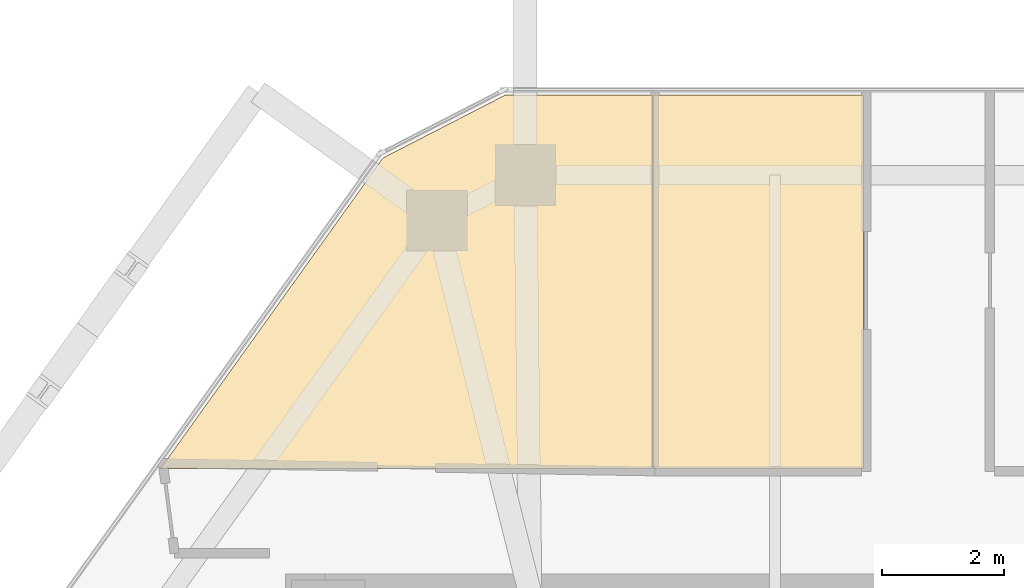
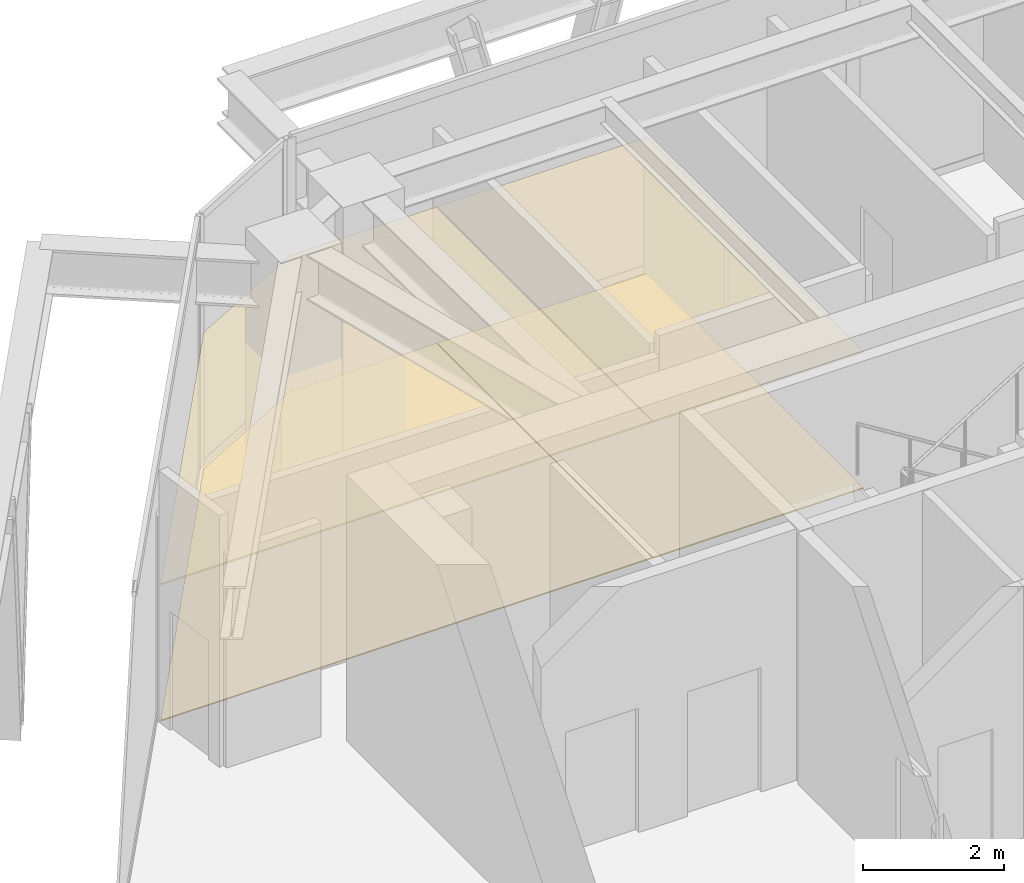
# One storey, part 12 of 12: 4 coverings.
"""IFC4 building model written with IfcOpenShell, lengths in metres."""

from ifc_helpers import new_model, si_unit, direction, frame, origin, place, context, subcontext, project, spatial, polyline, outline, extrude, material, layer, layer_set, type_object, element, save


model = new_model("IFC4")

# Units and contexts
model_context = context("Model", 3, precision=1e-05, world=origin(), true_north=direction((0.0, 1.0)))
body_context = subcontext(model_context, "Body", "Model", "MODEL_VIEW")
ifc_project = project(units=[si_unit("LENGTHUNIT", "METRE"), si_unit("AREAUNIT", "SQUARE_METRE"), si_unit("VOLUMEUNIT", "CUBIC_METRE"), si_unit("PLANEANGLEUNIT", "RADIAN"), si_unit("MASSUNIT", "GRAM", prefix="KILO")], contexts=[model_context])

# Site, building, storey
site_placement = place(None, origin())
site = spatial("IfcSite", under=ifc_project, at=site_placement, CompositionType="ELEMENT")
building_placement = place(site_placement, origin())
building = spatial("IfcBuilding", under=site, at=building_placement, Name="Durnholm Broadcast Tower", CompositionType="ELEMENT")
storey_placement = place(building_placement, frame((0.0, 0.0, 162.60009765625)))
storey = spatial("IfcBuildingStorey", under=building, at=storey_placement, Name="L44", CompositionType="ELEMENT", Elevation=162.60009765625)

# Coverings
ifc_material_1 = material(Name="Mineral Fiber Acoustic Ceiling Tile", Category="concrete")
ifc_layer_1 = layer(ifc_material_1, 0.02490234375)
ifc_layer_set_1 = layer_set([ifc_layer_1], Name="Mineral Fiber Acoustic Ceiling Tile")
covering_type_1 = type_object("IfcCoveringType", Name="COV-CEIL-AC", PredefinedType="CEILING", material=ifc_layer_set_1)
covering_1_placement = place(storey_placement, frame((0.0, 0.0, 2.349853515625)))
element("IfcCovering", 1, at=covering_1_placement, inside=storey, type_object=covering_type_1, Name="L44 Open Plan Broadcast Workspace 2 acoustic ceiling", PredefinedType="CEILING", context=body_context, shape_type="SweptSolid", body=[
    extrude(outline(polyline([(-4.5048828125, 10.22509765625), (-4.5048828125, 16.3330078125), (-6.896728515625, 16.3330078125), (-8.90576171875, 15.300537109375), (-12.539794921875, 10.22509765625), (-4.5048828125, 10.22509765625)])), origin(), (0.0, 0.0, 1.0), 0.025146484375),
])
covering_2_placement = place(storey_placement, frame((0.0, 0.0, 2.349853515625)))
element("IfcCovering", 2, at=covering_2_placement, inside=storey, type_object=covering_type_1, Name="L44 Fitness Wellness Hall acoustic ceiling", PredefinedType="CEILING", context=body_context, shape_type="SweptSolid", body=[
    extrude(outline(polyline([(-1.054931640625, 16.3330078125), (-4.4951171875, 16.3330078125), (-4.4951171875, 10.22509765625), (-1.054931640625, 10.22509765625), (-1.054931640625, 16.3330078125)])), origin(), (0.0, 0.0, 1.0), 0.025146484375),
])
ifc_material_2 = material(Name="Engineered Oak Acoustic Broadcast Flooring", Category="wood")
ifc_layer_2 = layer(ifc_material_2, 0.02001953125)
ifc_layer_set_2 = layer_set([ifc_layer_2], Name="Engineered Oak Acoustic Broadcast Flooring")
covering_type_2 = type_object("IfcCoveringType", Name="COV-FLR-OAK", PredefinedType="FLOORING", material=ifc_layer_set_2)
covering_3_placement = place(storey_placement, origin())
element("IfcCovering", 3, at=covering_3_placement, inside=storey, type_object=covering_type_2, Name="L44 Open Plan Broadcast Workspace 2 acoustic oak flooring", PredefinedType="FLOORING", context=body_context, shape_type="SweptSolid", body=[
    extrude(outline(polyline([(-4.5048828125, 10.22509765625), (-4.5048828125, 16.3330078125), (-6.896728515625, 16.3330078125), (-8.90576171875, 15.300537109375), (-12.539794921875, 10.22509765625), (-4.5048828125, 10.22509765625)])), origin(), (0.0, 0.0, 1.0), 0.02001953125),
])
covering_4_placement = place(storey_placement, origin())
element("IfcCovering", 4, at=covering_4_placement, inside=storey, type_object=covering_type_2, Name="L44 Fitness Wellness Hall acoustic oak flooring", PredefinedType="FLOORING", context=body_context, shape_type="SweptSolid", body=[
    extrude(outline(polyline([(-1.054931640625, 16.3330078125), (-4.4951171875, 16.3330078125), (-4.4951171875, 10.22509765625), (-1.054931640625, 10.22509765625), (-1.054931640625, 16.3330078125)])), origin(), (0.0, 0.0, 1.0), 0.02001953125),
])

save(model, "model.ifc")
